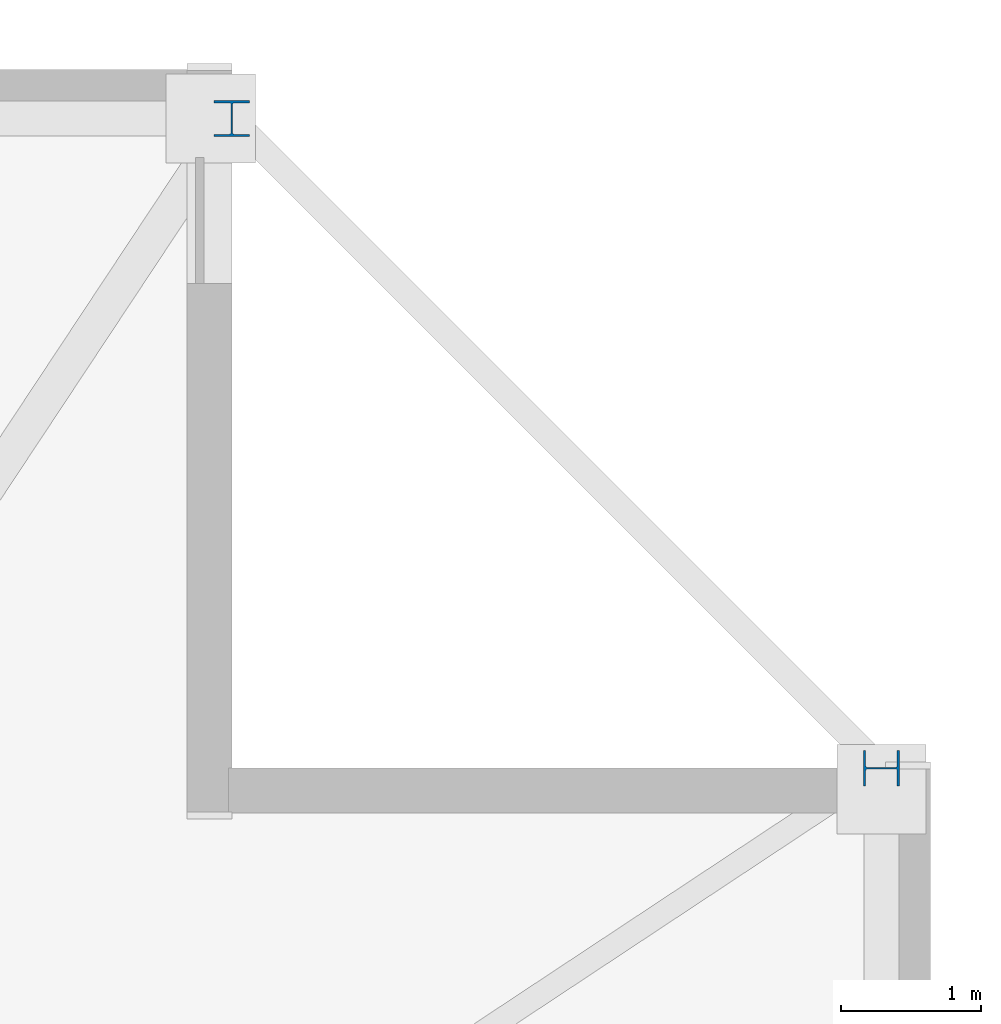
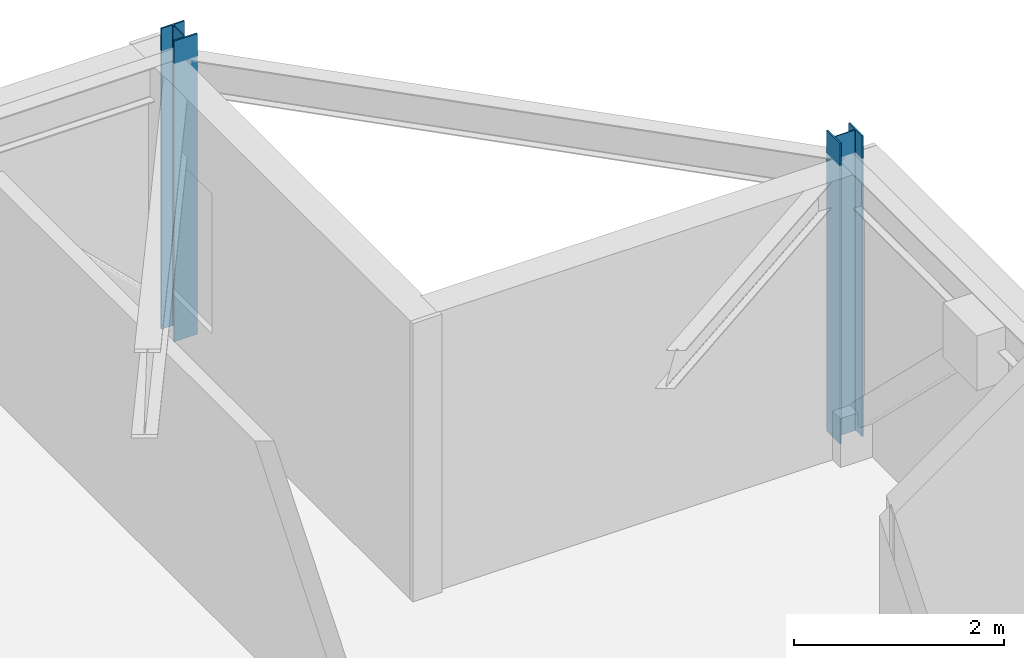
# One storey, part 5 of 17: 2 columns.
"""IFC4 building model written with IfcOpenShell, lengths in metres."""

from ifc_helpers import new_model, si_unit, direction, frame, origin, origin_2d, place, context, subcontext, project, spatial, i_section, extrude, material, material_profile, profile_set, type_object, element, save


model = new_model("IFC4")

# Units and contexts
model_context = context("Model", 3, precision=1e-05, world=origin(), true_north=direction((0.0, 1.0)))
body_context = subcontext(model_context, "Body", "Model", "MODEL_VIEW")
ifc_project = project(units=[si_unit("LENGTHUNIT", "METRE"), si_unit("AREAUNIT", "SQUARE_METRE"), si_unit("VOLUMEUNIT", "CUBIC_METRE"), si_unit("PLANEANGLEUNIT", "RADIAN"), si_unit("MASSUNIT", "GRAM", prefix="KILO")], contexts=[model_context])

# Site, building, storey
site_placement = place(None, origin())
site = spatial("IfcSite", under=ifc_project, at=site_placement, CompositionType="ELEMENT")
building_placement = place(site_placement, origin())
building = spatial("IfcBuilding", under=site, at=building_placement, Name="Cairnveth Concourse Tower", CompositionType="ELEMENT")
storey_placement = place(building_placement, frame((0.0, 0.0, 272.5)))
storey = spatial("IfcBuildingStorey", under=building, at=storey_placement, Name="L75", CompositionType="ELEMENT", Elevation=272.5)

# Columns
ifc_material = material(Name="Steel Grade 350", Category="steel")
ifc_material_profile = material_profile(ifc_material, i_section(OverallWidth=0.256103515625, OverallDepth=0.260009765625, WebThickness=0.010498046875, FlangeThickness=0.017333984375, FilletRadius=0.012939453125, at=origin_2d()), Name="250UC89.5")
ifc_profile_set = profile_set([ifc_material_profile], Name="Steel Grade 350")
column_type = type_object("IfcColumnType", Name="UNIVERSAL STEEL COLUMN 250UC89.5", PredefinedType="COLUMN", material=ifc_profile_set)
for number, where, z_axis, x_axis, name in (
    (1, (74.14990234375, 56.5, 0.0), (0.0, 0.0, 1.0), (0.0, 1.0, 0.0), "Column P-E4 L75"),
    (2, (69.5, 61.14990234375, 0.0), (0.0, 0.0, 1.0), (1.0, 0.0, 0.0), "Column P-N1 L75"),
):
    element("IfcColumn", number, at=place(storey_placement, frame(where, z_axis=z_axis, x_axis=x_axis)), inside=storey, type_object=column_type, Name=name, PredefinedType="COLUMN", context=body_context, shape_type="SweptSolid", body=[
        extrude(i_section(OverallWidth=0.256103515625, OverallDepth=0.260009765625, WebThickness=0.010498046875, FlangeThickness=0.017333984375, FilletRadius=0.012939453125, at=origin_2d()), origin(), (0.0, 0.0, 1.0), 3.5),
    ])

save(model, "model.ifc")
